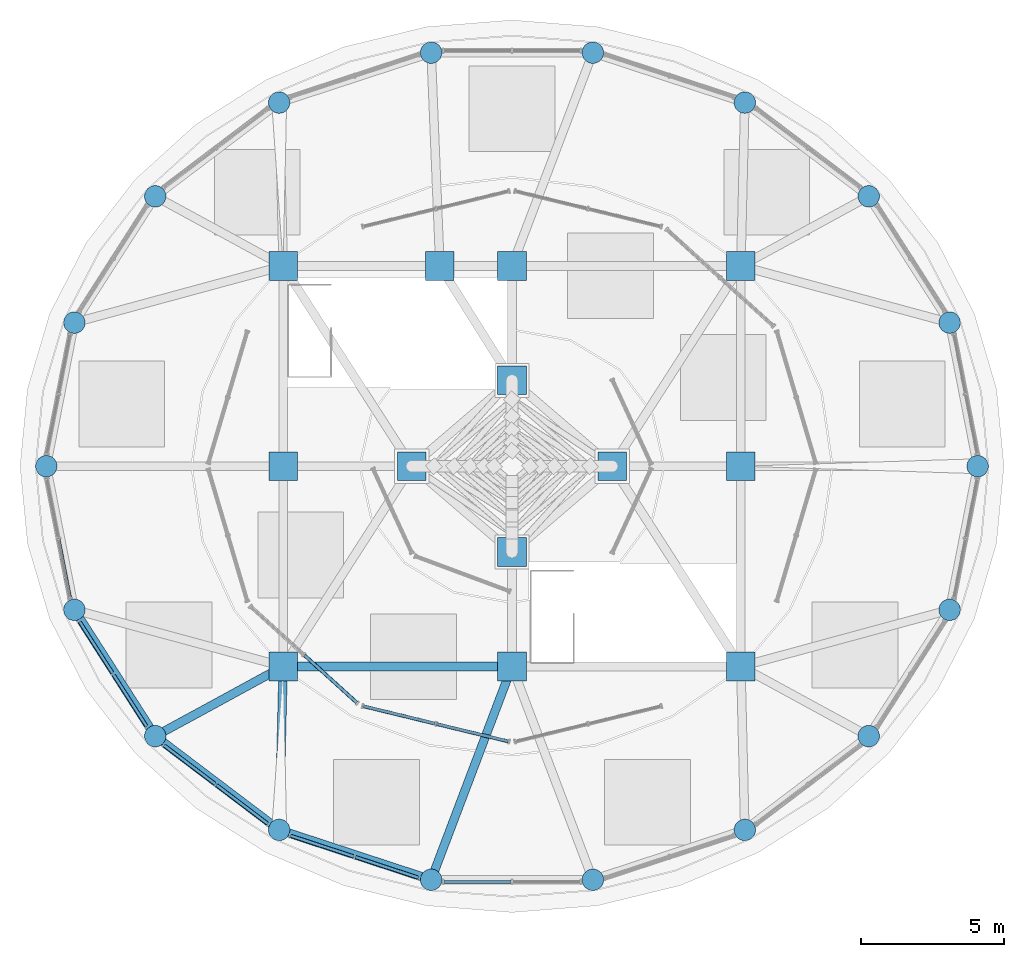
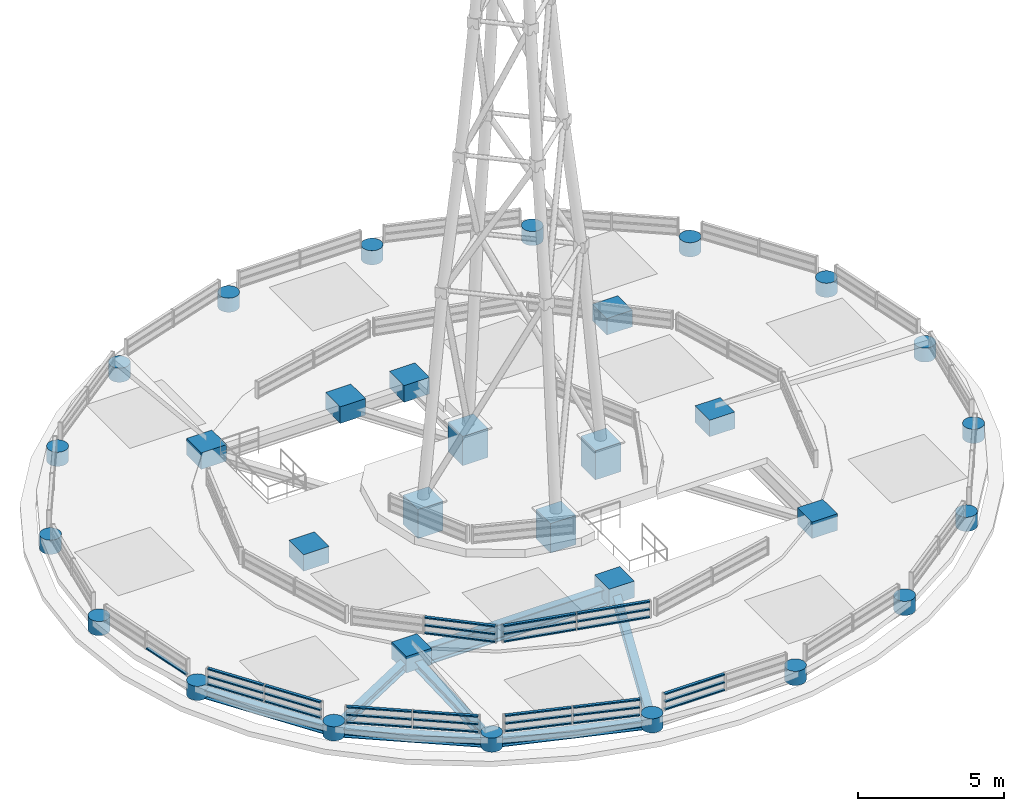
# One storey, part 1 of 21: 31 columns, 31 members, 7 beams, 7 elements without a shape of their own.
"""IFC4 building model written with IfcOpenShell, lengths in metres."""

from ifc_helpers import new_model, si_unit, direction, frame, origin, origin_2d, place, context, subcontext, project, spatial, rectangle, hollow_rectangle, circle, i_section, extrude, material, layer, layer_set, material_profile, profile_set, type_object, element, aggregate, save


model = new_model("IFC4")

# Units and contexts
model_context = context("Model", 3, precision=1e-05, world=origin(), true_north=direction((0.0, 1.0)))
body_context = subcontext(model_context, "Body", "Model", "MODEL_VIEW")
ifc_project = project(units=[si_unit("LENGTHUNIT", "METRE"), si_unit("AREAUNIT", "SQUARE_METRE"), si_unit("VOLUMEUNIT", "CUBIC_METRE"), si_unit("PLANEANGLEUNIT", "RADIAN"), si_unit("MASSUNIT", "GRAM", prefix="KILO")], contexts=[model_context])

# Site, building, storey
site_placement = place(None, origin())
site = spatial("IfcSite", under=ifc_project, at=site_placement, CompositionType="ELEMENT")
building_placement = place(site_placement, origin())
building = spatial("IfcBuilding", under=site, at=building_placement, Name="Kelanora Arch Commons", CompositionType="ELEMENT")
storey_placement = place(building_placement, frame((0.0, 0.0, 311.10009765625)))
storey = spatial("IfcBuildingStorey", under=building, at=storey_placement, Name="RF", CompositionType="ELEMENT", Elevation=311.10009765625)

# Columns
ifc_material_1 = material(Name="Concrete C50/60", Category="concrete")
ifc_material_profile_1 = material_profile(ifc_material_1, circle(Radius=0.375, at=origin_2d()), Name="RCC750")
ifc_profile_set_1 = profile_set([ifc_material_profile_1], Name="Concrete C50/60")
column_type_1 = type_object("IfcColumnType", Name="COL-PERIM-Z6", PredefinedType="COLUMN", material=ifc_profile_set_1)
for number, where, z_axis, x_axis, name in (
    (1, (90.280029296875, 58.0, 0.0), (0.0, 0.0, 1.0), (1.0, 0.0, 0.0), "Crown Lantern Perimeter Column CP-00 RF"),
    (2, (89.298095703125, 63.02099609375, 0.0), (0.0, 0.0, 1.0), (1.0, 0.0, 0.0), "Crown Lantern Perimeter Column CP-02 RF"),
    (3, (86.47119140625, 67.43603515625, 0.0), (0.0, 0.0, 1.0), (1.0, 0.0, 0.0), "Crown Lantern Perimeter Column CP-04 RF"),
    (4, (82.139892578125, 70.71337890625, 0.0), (0.0, 0.0, 1.0), (1.0, 0.0, 0.0), "Crown Lantern Perimeter Column CP-06 RF"),
    (5, (76.826904296875, 72.45703125, 0.0), (0.0, 0.0, 1.0), (1.0, 0.0, 0.0), "Crown Lantern Perimeter Column CP-08 RF"),
    (6, (71.173095703125, 72.45703125, 0.0), (0.0, 0.0, 1.0), (1.0, 0.0, 0.0), "Crown Lantern Perimeter Column CP-10 RF"),
    (7, (65.860107421875, 70.71337890625, 0.0), (0.0, 0.0, 1.0), (1.0, 0.0, 0.0), "Crown Lantern Perimeter Column CP-12 RF"),
    (8, (61.52880859375, 67.43603515625, 0.0), (0.0, 0.0, 1.0), (1.0, 0.0, 0.0), "Crown Lantern Perimeter Column CP-14 RF"),
    (9, (58.701904296875, 63.02099609375, 0.0), (0.0, 0.0, 1.0), (1.0, 0.0, 0.0), "Crown Lantern Perimeter Column CP-16 RF"),
    (10, (57.719970703125, 58.0, 0.0), (0.0, 0.0, 1.0), (1.0, 0.0, 0.0), "Crown Lantern Perimeter Column CP-18 RF"),
    (11, (58.701904296875, 52.97900390625, 0.0), (0.0, 0.0, 1.0), (1.0, 0.0, 0.0), "Crown Lantern Perimeter Column CP-20 RF"),
    (12, (61.52880859375, 48.56396484375, 0.0), (0.0, 0.0, 1.0), (1.0, 0.0, 0.0), "Crown Lantern Perimeter Column CP-22 RF"),
    (13, (65.860107421875, 45.28662109375, 0.0), (0.0, 0.0, 1.0), (1.0, 0.0, 0.0), "Crown Lantern Perimeter Column CP-24 RF"),
    (14, (71.173095703125, 43.54296875, 0.0), (0.0, 0.0, 1.0), (1.0, 0.0, 0.0), "Crown Lantern Perimeter Column CP-26 RF"),
    (15, (76.826904296875, 43.54296875, 0.0), (0.0, 0.0, 1.0), (1.0, 0.0, 0.0), "Crown Lantern Perimeter Column CP-28 RF"),
    (16, (82.139892578125, 45.28662109375, 0.0), (0.0, 0.0, 1.0), (1.0, 0.0, 0.0), "Crown Lantern Perimeter Column CP-30 RF"),
    (17, (86.47119140625, 48.56396484375, 0.0), (0.0, 0.0, 1.0), (1.0, 0.0, 0.0), "Crown Lantern Perimeter Column CP-32 RF"),
    (18, (89.298095703125, 52.97900390625, 0.0), (0.0, 0.0, 1.0), (1.0, 0.0, 0.0), "Crown Lantern Perimeter Column CP-34 RF"),
):
    element("IfcColumn", number, at=place(storey_placement, frame(where, z_axis=z_axis, x_axis=x_axis)), inside=storey, type_object=column_type_1, Name=name, PredefinedType="COLUMN", context=body_context, shape_type="SweptSolid", body=[
        extrude(circle(Radius=0.375, at=origin_2d()), origin(), (0.0, 0.0, 1.0), 0.58984375),
    ])
ifc_material_profile_2 = material_profile(ifc_material_1, rectangle(XDim=1.0, YDim=1.0, at=origin_2d()), Name="RC1000x1000")
ifc_profile_set_2 = profile_set([ifc_material_profile_2], Name="Concrete C50/60")
column_type_2 = type_object("IfcColumnType", Name="COL-PIL-HIGH", PredefinedType="PILASTER", material=ifc_profile_set_2)
for number, where, z_axis, x_axis, name in (
    (19, (66.0, 51.0, 0.0), (0.0, 0.0, 1.0), (1.0, 0.0, 0.0), "Crown Core Pilaster Extension CP1"),
    (20, (74.0, 51.0, 0.0), (0.0, 0.0, 1.0), (1.0, 0.0, 0.0), "Crown Core Pilaster Extension CP2"),
    (21, (82.0, 51.0, 0.0), (0.0, 0.0, 1.0), (1.0, 0.0, 0.0), "Crown Core Pilaster Extension CP3"),
    (22, (82.0, 58.0, 0.0), (0.0, 0.0, 1.0), (1.0, 0.0, 0.0), "Crown Core Pilaster Extension CP4"),
    (23, (82.0, 65.0, 0.0), (0.0, 0.0, 1.0), (1.0, 0.0, 0.0), "Crown Core Pilaster Extension CP5"),
    (24, (74.0, 65.0, 0.0), (0.0, 0.0, 1.0), (1.0, 0.0, 0.0), "Crown Core Pilaster Extension CP6"),
    (25, (71.47998046875, 65.0, 0.0), (0.0, 0.0, 1.0), (1.0, 0.0, 0.0), "Crown Core Pilaster Extension CP9"),
    (26, (66.0, 65.0, 0.0), (0.0, 0.0, 1.0), (1.0, 0.0, 0.0), "Crown Core Pilaster Extension CP7"),
    (27, (66.0, 58.0, 0.0), (0.0, 0.0, 1.0), (1.0, 0.0, 0.0), "Crown Core Pilaster Extension CP8"),
):
    element("IfcColumn", number, at=place(storey_placement, frame(where, z_axis=z_axis, x_axis=x_axis)), inside=storey, type_object=column_type_2, Name=name, PredefinedType="PILASTER", context=body_context, shape_type="SweptSolid", body=[
        extrude(rectangle(XDim=1.0, YDim=1.0, at=origin_2d()), origin(), (0.0, 0.0, 1.0), 0.68994140625),
    ])
for number, where, z_axis, x_axis, name in (
    (28, (70.5, 58.0, -0.22021484375), (0.0, 0.0, 1.0), (1.0, 0.0, 0.0), "Mast Pedestal Column 01"),
    (29, (77.5, 58.0, -0.22021484375), (0.0, 0.0, 1.0), (1.0, 0.0, 0.0), "Mast Pedestal Column 02"),
    (30, (74.0, 55.0, -0.22021484375), (0.0, 0.0, 1.0), (1.0, 0.0, 0.0), "Mast Pedestal Column 03"),
    (31, (74.0, 61.0, -0.22021484375), (0.0, 0.0, 1.0), (1.0, 0.0, 0.0), "Mast Pedestal Column 04"),
):
    element("IfcColumn", number, at=place(storey_placement, frame(where, z_axis=z_axis, x_axis=x_axis)), inside=storey, type_object=column_type_2, Name=name, PredefinedType="PILASTER", context=body_context, shape_type="SweptSolid", body=[
        extrude(rectangle(XDim=1.0, YDim=1.0, at=origin_2d()), origin(), (0.0, 0.0, 1.0), 1.22021484375),
    ])

# Beams
ifc_material_2 = material(Name="Steel S355", Category="steel")
ifc_material_profile_3 = material_profile(ifc_material_2, i_section(OverallWidth=0.300048828125, OverallDepth=0.699951171875, WebThickness=0.01708984375, FlangeThickness=0.031982421875, FilletRadius=0.027099609375, at=origin_2d()), Name="HEB700")
ifc_profile_set_3 = profile_set([ifc_material_profile_3], Name="Steel S355")
beam_type_1 = type_object("IfcBeamType", Name="BM-CORE-HDR", PredefinedType="BEAM", material=ifc_profile_set_3)
beam_1_placement = place(storey_placement, frame((66.0, 51.0, 0.099853515625), z_axis=(1.0, 0.0, 0.0), x_axis=(0.0, 1.0, 0.0)))
element("IfcBeam", 32, at=beam_1_placement, inside=storey, type_object=beam_type_1, Name="Crown Mid Lantern Roof Ring 01", PredefinedType="BEAM", context=body_context, shape_type="SweptSolid", body=[
    extrude(i_section(OverallWidth=0.300048828125, OverallDepth=0.699951171875, WebThickness=0.01708984375, FlangeThickness=0.031982421875, FilletRadius=0.027099609375, at=origin_2d()), origin(), (0.0, 0.0, 1.0), 8.0),
])
ifc_material_profile_4 = material_profile(ifc_material_2, i_section(OverallWidth=0.300048828125, OverallDepth=0.340087890625, WebThickness=0.011962890625, FlangeThickness=0.021484375, FilletRadius=0.027099609375, at=origin_2d()), Name="HEB340")
ifc_profile_set_4 = profile_set([ifc_material_profile_4], Name="Steel S355")
beam_type_2 = type_object("IfcBeamType", Name="BM-DRUM-RING", PredefinedType="BEAM", material=ifc_profile_set_4)
beam_2_placement = place(storey_placement, frame((58.701904296875, 52.97900390625, 0.179931640625), z_axis=(0.53922680048, -0.842160588987, 0.0), x_axis=(0.842160588987, 0.53922680048, 0.0)))
element("IfcBeam", 33, at=beam_2_placement, inside=storey, type_object=beam_type_2, Name="Crown Outer Lantern Ring Beam 20", PredefinedType="BEAM", context=body_context, shape_type="SweptSolid", body=[
    extrude(i_section(OverallWidth=0.300048828125, OverallDepth=0.340087890625, WebThickness=0.011962890625, FlangeThickness=0.021484375, FilletRadius=0.027099609375, at=origin_2d()), origin(), (0.0, 0.0, 1.0), 5.242431640625),
])
beam_3_placement = place(storey_placement, frame((61.52880859375, 48.56396484375, 0.179931640625), z_axis=(0.797441458309, -0.603396321309, 0.0), x_axis=(0.603396321309, 0.797441458309, 0.0)))
element("IfcBeam", 34, at=beam_3_placement, inside=storey, type_object=beam_type_2, Name="Crown Outer Lantern Ring Beam 22", PredefinedType="BEAM", context=body_context, shape_type="SweptSolid", body=[
    extrude(i_section(OverallWidth=0.300048828125, OverallDepth=0.340087890625, WebThickness=0.011962890625, FlangeThickness=0.021484375, FilletRadius=0.027099609375, at=origin_2d()), origin(), (0.0, 0.0, 1.0), 5.431396484375),
])
beam_4_placement = place(storey_placement, frame((65.860107421875, 45.28662109375, 0.179931640625), z_axis=(0.950140083071, -0.311823383572, 0.0), x_axis=(0.311823383572, 0.950140083071, 0.0)))
element("IfcBeam", 35, at=beam_4_placement, inside=storey, type_object=beam_type_2, Name="Crown Outer Lantern Ring Beam 24", PredefinedType="BEAM", context=body_context, shape_type="SweptSolid", body=[
    extrude(i_section(OverallWidth=0.300048828125, OverallDepth=0.340087890625, WebThickness=0.011962890625, FlangeThickness=0.021484375, FilletRadius=0.027099609375, at=origin_2d()), origin(), (0.0, 0.0, 1.0), 5.591796875),
])
beam_5_placement = place(storey_placement, frame((61.52880859375, 48.56396484375, 0.169921875), z_axis=(0.878126355987, 0.478428785631, 0.0), x_axis=(-0.478428785631, 0.878126355987, 0.0)))
element("IfcBeam", 36, at=beam_5_placement, inside=storey, type_object=beam_type_2, Name="Sloped Glass Crown Outer Rafter 12A", PredefinedType="BEAM", context=body_context, shape_type="SweptSolid", body=[
    extrude(i_section(OverallWidth=0.300048828125, OverallDepth=0.340087890625, WebThickness=0.011962890625, FlangeThickness=0.021484375, FilletRadius=0.027099609375, at=origin_2d()), origin(), (0.0, 0.0, 1.0), 5.091796875),
])
beam_6_placement = place(storey_placement, frame((65.860107421875, 45.28662109375, 0.169921875), z_axis=(0.0244777504, 0.99970037498, 0.0), x_axis=(-0.99970037498, 0.0244777504, 0.0)))
element("IfcBeam", 37, at=beam_6_placement, inside=storey, type_object=beam_type_2, Name="Sloped Glass Crown Outer Rafter 13A", PredefinedType="BEAM", context=body_context, shape_type="SweptSolid", body=[
    extrude(i_section(OverallWidth=0.300048828125, OverallDepth=0.340087890625, WebThickness=0.011962890625, FlangeThickness=0.021484375, FilletRadius=0.027099609375, at=origin_2d()), origin(), (0.0, 0.0, 1.0), 5.715087890625),
])
beam_7_placement = place(storey_placement, frame((71.173095703125, 43.54296875, 0.169921875), z_axis=(0.354476114465, 0.93506506954, 0.0), x_axis=(-0.93506506954, 0.354476114465, 0.0)))
element("IfcBeam", 38, at=beam_7_placement, inside=storey, type_object=beam_type_2, Name="Sloped Glass Crown Outer Rafter 14A", PredefinedType="BEAM", context=body_context, shape_type="SweptSolid", body=[
    extrude(i_section(OverallWidth=0.300048828125, OverallDepth=0.340087890625, WebThickness=0.011962890625, FlangeThickness=0.021484375, FilletRadius=0.027099609375, at=origin_2d()), origin(), (0.0, 0.0, 1.0), 7.974853515625),
])

# Curtain wall, member
ifc_material_3 = material(Name="Terracotta ceramic-fritted low-E glass and aluminium", Category="masonry")
ifc_layer = layer(ifc_material_3, 0.14990234375)
ifc_layer_set = layer_set([ifc_layer], Name="Terracotta ceramic-fritted low-E glass and aluminium")
curtain_wall_type = type_object("IfcCurtainWallType", Name="CW-SYS-06", PredefinedType="NOTDEFINED", material=ifc_layer_set)
curtain_wall_1_placement = place(storey_placement, origin())
curtain_wall_1 = element("IfcCurtainWall", 39, at=curtain_wall_1_placement, inside=storey, type_object=curtain_wall_type, Name="Sloped Glass Crown Lantern T1-10", PredefinedType="NOTDEFINED")
ifc_material_4 = material(Name="Powder-coated aluminium terracotta", Category="masonry")
ifc_material_profile_5 = material_profile(ifc_material_4, hollow_rectangle(XDim=0.1201171875, YDim=0.06005859375, WallThickness=0.0048828125, InnerFilletRadius=0.0048828125, OuterFilletRadius=0.010009765625, at=origin_2d()), Name="CWT120x60")
ifc_profile_set_5 = profile_set([ifc_material_profile_5], Name="Powder-coated aluminium terracotta")
member_type = type_object("IfcMemberType", Name="CWT-STD", PredefinedType="USERDEFINED", material=ifc_profile_set_5)
member_1_placement = place(storey_placement, frame((58.148681640625, 55.4482421875, 0.619873046875), z_axis=(0.191893651219, -0.981415725685, 0.0), x_axis=(0.981415725685, 0.191893651219, 0.0)))
member_1 = element("IfcMember", 40, at=member_1_placement, type_object=member_type, Name="CW-06 transom 2.1", ObjectType="TRANSOM", PredefinedType="USERDEFINED", context=body_context, shape_type="SweptSolid", body=[
    extrude(hollow_rectangle(XDim=0.1201171875, YDim=0.06005859375, WallThickness=0.0048828125, InnerFilletRadius=0.0048828125, OuterFilletRadius=0.010009765625, at=origin_2d()), origin(), (0.0, 0.0, 1.0), 2.080078125),
])
aggregate(curtain_wall_1, [member_1])

# Curtain wall, members
curtain_wall_2_placement = place(storey_placement, origin())
curtain_wall_2 = element("IfcCurtainWall", 41, at=curtain_wall_2_placement, inside=storey, type_object=curtain_wall_type, Name="Sloped Glass Crown Lantern T1-11", PredefinedType="NOTDEFINED")
member_2_placement = place(storey_placement, frame((58.884033203125, 52.56787109375, 0.619873046875), z_axis=(0.538937342954, -0.842345855555, 0.0), x_axis=(0.842345855555, 0.538937342954, 0.0)))
member_2 = element("IfcMember", 42, at=member_2_placement, type_object=member_type, Name="CW-06 transom 1.1", ObjectType="TRANSOM", PredefinedType="USERDEFINED", context=body_context, shape_type="SweptSolid", body=[
    extrude(hollow_rectangle(XDim=0.1201171875, YDim=0.06005859375, WallThickness=0.0048828125, InnerFilletRadius=0.0048828125, OuterFilletRadius=0.010009765625, at=origin_2d()), origin(), (0.0, 0.0, 1.0), 2.1435546875),
])
member_3_placement = place(storey_placement, frame((58.884033203125, 52.56787109375, 0.93994140625), z_axis=(0.538937342954, -0.842345855555, 0.0), x_axis=(0.842345855555, 0.538937342954, 0.0)))
member_3 = element("IfcMember", 43, at=member_3_placement, type_object=member_type, Name="CW-06 transom 1.2", ObjectType="TRANSOM", PredefinedType="USERDEFINED", context=body_context, shape_type="SweptSolid", body=[
    extrude(hollow_rectangle(XDim=0.1201171875, YDim=0.06005859375, WallThickness=0.0048828125, InnerFilletRadius=0.0048828125, OuterFilletRadius=0.010009765625, at=origin_2d()), origin(), (0.0, 0.0, 1.0), 2.1435546875),
])
member_4_placement = place(storey_placement, frame((58.884033203125, 52.56787109375, 1.260009765625), z_axis=(0.538937342954, -0.842345855555, 0.0), x_axis=(0.842345855555, 0.538937342954, 0.0)))
member_4 = element("IfcMember", 44, at=member_4_placement, type_object=member_type, Name="CW-06 transom 1.3", ObjectType="TRANSOM", PredefinedType="USERDEFINED", context=body_context, shape_type="SweptSolid", body=[
    extrude(hollow_rectangle(XDim=0.1201171875, YDim=0.06005859375, WallThickness=0.0048828125, InnerFilletRadius=0.0048828125, OuterFilletRadius=0.010009765625, at=origin_2d()), origin(), (0.0, 0.0, 1.0), 2.1435546875),
])
member_5_placement = place(storey_placement, frame((60.07177734375, 50.711669921875, 0.619873046875), z_axis=(0.539069856372, -0.842261058076, 0.0), x_axis=(0.842261058076, 0.539069856372, 0.0)))
member_5 = element("IfcMember", 45, at=member_5_placement, type_object=member_type, Name="CW-06 transom 2.1", ObjectType="TRANSOM", PredefinedType="USERDEFINED", context=body_context, shape_type="SweptSolid", body=[
    extrude(hollow_rectangle(XDim=0.1201171875, YDim=0.06005859375, WallThickness=0.0048828125, InnerFilletRadius=0.0048828125, OuterFilletRadius=0.010009765625, at=origin_2d()), origin(), (0.0, 0.0, 1.0), 2.1435546875),
])
member_6_placement = place(storey_placement, frame((60.07177734375, 50.711669921875, 0.93994140625), z_axis=(0.539069856372, -0.842261058076, 0.0), x_axis=(0.842261058076, 0.539069856372, 0.0)))
member_6 = element("IfcMember", 46, at=member_6_placement, type_object=member_type, Name="CW-06 transom 2.2", ObjectType="TRANSOM", PredefinedType="USERDEFINED", context=body_context, shape_type="SweptSolid", body=[
    extrude(hollow_rectangle(XDim=0.1201171875, YDim=0.06005859375, WallThickness=0.0048828125, InnerFilletRadius=0.0048828125, OuterFilletRadius=0.010009765625, at=origin_2d()), origin(), (0.0, 0.0, 1.0), 2.1435546875),
])
member_7_placement = place(storey_placement, frame((60.07177734375, 50.711669921875, 1.260009765625), z_axis=(0.539069856372, -0.842261058076, 0.0), x_axis=(0.842261058076, 0.539069856372, 0.0)))
member_7 = element("IfcMember", 47, at=member_7_placement, type_object=member_type, Name="CW-06 transom 2.3", ObjectType="TRANSOM", PredefinedType="USERDEFINED", context=body_context, shape_type="SweptSolid", body=[
    extrude(hollow_rectangle(XDim=0.1201171875, YDim=0.06005859375, WallThickness=0.0048828125, InnerFilletRadius=0.0048828125, OuterFilletRadius=0.010009765625, at=origin_2d()), origin(), (0.0, 0.0, 1.0), 2.1435546875),
])
aggregate(curtain_wall_2, [member_2, member_3, member_4, member_5, member_6, member_7])

curtain_wall_3_placement = place(storey_placement, origin())
curtain_wall_3 = element("IfcCurtainWall", 48, at=curtain_wall_3_placement, inside=storey, type_object=curtain_wall_type, Name="Sloped Glass Crown Lantern T1-12", PredefinedType="NOTDEFINED")
member_8_placement = place(storey_placement, frame((61.842041015625, 48.2412109375, 0.619873046875), z_axis=(0.797321244253, -0.603555161906, 0.0), x_axis=(0.603555161906, 0.797321244253, 0.0)))
member_8 = element("IfcMember", 49, at=member_8_placement, type_object=member_type, Name="CW-06 transom 1.1", ObjectType="TRANSOM", PredefinedType="USERDEFINED", context=body_context, shape_type="SweptSolid", body=[
    extrude(hollow_rectangle(XDim=0.1201171875, YDim=0.06005859375, WallThickness=0.0048828125, InnerFilletRadius=0.0048828125, OuterFilletRadius=0.010009765625, at=origin_2d()), origin(), (0.0, 0.0, 1.0), 2.23779296875),
])
member_9_placement = place(storey_placement, frame((61.842041015625, 48.2412109375, 0.93994140625), z_axis=(0.797321244253, -0.603555161906, 0.0), x_axis=(0.603555161906, 0.797321244253, 0.0)))
member_9 = element("IfcMember", 50, at=member_9_placement, type_object=member_type, Name="CW-06 transom 1.2", ObjectType="TRANSOM", PredefinedType="USERDEFINED", context=body_context, shape_type="SweptSolid", body=[
    extrude(hollow_rectangle(XDim=0.1201171875, YDim=0.06005859375, WallThickness=0.0048828125, InnerFilletRadius=0.0048828125, OuterFilletRadius=0.010009765625, at=origin_2d()), origin(), (0.0, 0.0, 1.0), 2.23779296875),
])
member_10_placement = place(storey_placement, frame((61.842041015625, 48.2412109375, 1.260009765625), z_axis=(0.797321244253, -0.603555161906, 0.0), x_axis=(0.603555161906, 0.797321244253, 0.0)))
member_10 = element("IfcMember", 51, at=member_10_placement, type_object=member_type, Name="CW-06 transom 1.3", ObjectType="TRANSOM", PredefinedType="USERDEFINED", context=body_context, shape_type="SweptSolid", body=[
    extrude(hollow_rectangle(XDim=0.1201171875, YDim=0.06005859375, WallThickness=0.0048828125, InnerFilletRadius=0.0048828125, OuterFilletRadius=0.010009765625, at=origin_2d()), origin(), (0.0, 0.0, 1.0), 2.23779296875),
])
member_11_placement = place(storey_placement, frame((63.674072265625, 46.8544921875, 0.619873046875), z_axis=(0.797268741575, -0.603624513839, 0.0), x_axis=(0.603624513839, 0.797268741575, 0.0)))
member_11 = element("IfcMember", 52, at=member_11_placement, type_object=member_type, Name="CW-06 transom 2.1", ObjectType="TRANSOM", PredefinedType="USERDEFINED", context=body_context, shape_type="SweptSolid", body=[
    extrude(hollow_rectangle(XDim=0.1201171875, YDim=0.06005859375, WallThickness=0.0048828125, InnerFilletRadius=0.0048828125, OuterFilletRadius=0.010009765625, at=origin_2d()), origin(), (0.0, 0.0, 1.0), 2.23779296875),
])
member_12_placement = place(storey_placement, frame((63.674072265625, 46.8544921875, 0.93994140625), z_axis=(0.797268741575, -0.603624513839, 0.0), x_axis=(0.603624513839, 0.797268741575, 0.0)))
member_12 = element("IfcMember", 53, at=member_12_placement, type_object=member_type, Name="CW-06 transom 2.2", ObjectType="TRANSOM", PredefinedType="USERDEFINED", context=body_context, shape_type="SweptSolid", body=[
    extrude(hollow_rectangle(XDim=0.1201171875, YDim=0.06005859375, WallThickness=0.0048828125, InnerFilletRadius=0.0048828125, OuterFilletRadius=0.010009765625, at=origin_2d()), origin(), (0.0, 0.0, 1.0), 2.23779296875),
])
member_13_placement = place(storey_placement, frame((63.674072265625, 46.8544921875, 1.260009765625), z_axis=(0.797268741575, -0.603624513839, 0.0), x_axis=(0.603624513839, 0.797268741575, 0.0)))
member_13 = element("IfcMember", 54, at=member_13_placement, type_object=member_type, Name="CW-06 transom 2.3", ObjectType="TRANSOM", PredefinedType="USERDEFINED", context=body_context, shape_type="SweptSolid", body=[
    extrude(hollow_rectangle(XDim=0.1201171875, YDim=0.06005859375, WallThickness=0.0048828125, InnerFilletRadius=0.0048828125, OuterFilletRadius=0.010009765625, at=origin_2d()), origin(), (0.0, 0.0, 1.0), 2.23779296875),
])
aggregate(curtain_wall_3, [member_8, member_9, member_10, member_11, member_12, member_13])

curtain_wall_4_placement = place(storey_placement, origin())
curtain_wall_4 = element("IfcCurtainWall", 55, at=curtain_wall_4_placement, inside=storey, type_object=curtain_wall_type, Name="Sloped Glass Crown Lantern T1-13", PredefinedType="NOTDEFINED")
member_14_placement = place(storey_placement, frame((66.261962890625, 45.08251953125, 0.619873046875), z_axis=(0.950095534475, -0.311959092464, 0.0), x_axis=(0.311959092464, 0.950095534475, 0.0)))
member_14 = element("IfcMember", 56, at=member_14_placement, type_object=member_type, Name="CW-06 transom 1.1", ObjectType="TRANSOM", PredefinedType="USERDEFINED", context=body_context, shape_type="SweptSolid", body=[
    extrude(hollow_rectangle(XDim=0.1201171875, YDim=0.06005859375, WallThickness=0.0048828125, InnerFilletRadius=0.0048828125, OuterFilletRadius=0.010009765625, at=origin_2d()), origin(), (0.0, 0.0, 1.0), 2.318115234375),
])
member_15_placement = place(storey_placement, frame((66.261962890625, 45.08251953125, 0.93994140625), z_axis=(0.950095534475, -0.311959092464, 0.0), x_axis=(0.311959092464, 0.950095534475, 0.0)))
member_15 = element("IfcMember", 57, at=member_15_placement, type_object=member_type, Name="CW-06 transom 1.2", ObjectType="TRANSOM", PredefinedType="USERDEFINED", context=body_context, shape_type="SweptSolid", body=[
    extrude(hollow_rectangle(XDim=0.1201171875, YDim=0.06005859375, WallThickness=0.0048828125, InnerFilletRadius=0.0048828125, OuterFilletRadius=0.010009765625, at=origin_2d()), origin(), (0.0, 0.0, 1.0), 2.318115234375),
])
member_16_placement = place(storey_placement, frame((66.261962890625, 45.08251953125, 1.260009765625), z_axis=(0.950095534475, -0.311959092464, 0.0), x_axis=(0.311959092464, 0.950095534475, 0.0)))
member_16 = element("IfcMember", 58, at=member_16_placement, type_object=member_type, Name="CW-06 transom 1.3", ObjectType="TRANSOM", PredefinedType="USERDEFINED", context=body_context, shape_type="SweptSolid", body=[
    extrude(hollow_rectangle(XDim=0.1201171875, YDim=0.06005859375, WallThickness=0.0048828125, InnerFilletRadius=0.0048828125, OuterFilletRadius=0.010009765625, at=origin_2d()), origin(), (0.0, 0.0, 1.0), 2.318115234375),
])
member_17_placement = place(storey_placement, frame((68.521484375, 44.3408203125, 0.619873046875), z_axis=(0.950095534475, -0.311959092464, 0.0), x_axis=(0.311959092464, 0.950095534475, 0.0)))
member_17 = element("IfcMember", 59, at=member_17_placement, type_object=member_type, Name="CW-06 transom 2.1", ObjectType="TRANSOM", PredefinedType="USERDEFINED", context=body_context, shape_type="SweptSolid", body=[
    extrude(hollow_rectangle(XDim=0.1201171875, YDim=0.06005859375, WallThickness=0.0048828125, InnerFilletRadius=0.0048828125, OuterFilletRadius=0.010009765625, at=origin_2d()), origin(), (0.0, 0.0, 1.0), 2.318115234375),
])
member_18_placement = place(storey_placement, frame((68.521484375, 44.3408203125, 0.93994140625), z_axis=(0.950095534475, -0.311959092464, 0.0), x_axis=(0.311959092464, 0.950095534475, 0.0)))
member_18 = element("IfcMember", 60, at=member_18_placement, type_object=member_type, Name="CW-06 transom 2.2", ObjectType="TRANSOM", PredefinedType="USERDEFINED", context=body_context, shape_type="SweptSolid", body=[
    extrude(hollow_rectangle(XDim=0.1201171875, YDim=0.06005859375, WallThickness=0.0048828125, InnerFilletRadius=0.0048828125, OuterFilletRadius=0.010009765625, at=origin_2d()), origin(), (0.0, 0.0, 1.0), 2.318115234375),
])
member_19_placement = place(storey_placement, frame((68.521484375, 44.3408203125, 1.260009765625), z_axis=(0.950095534475, -0.311959092464, 0.0), x_axis=(0.311959092464, 0.950095534475, 0.0)))
member_19 = element("IfcMember", 61, at=member_19_placement, type_object=member_type, Name="CW-06 transom 2.3", ObjectType="TRANSOM", PredefinedType="USERDEFINED", context=body_context, shape_type="SweptSolid", body=[
    extrude(hollow_rectangle(XDim=0.1201171875, YDim=0.06005859375, WallThickness=0.0048828125, InnerFilletRadius=0.0048828125, OuterFilletRadius=0.010009765625, at=origin_2d()), origin(), (0.0, 0.0, 1.0), 2.318115234375),
])
aggregate(curtain_wall_4, [member_14, member_15, member_16, member_17, member_18, member_19])

curtain_wall_5_placement = place(storey_placement, origin())
curtain_wall_5 = element("IfcCurtainWall", 62, at=curtain_wall_5_placement, inside=storey, type_object=curtain_wall_type, Name="Sloped Glass Crown Lantern T1-14", PredefinedType="NOTDEFINED")
member_20_placement = place(storey_placement, frame((71.620849609375, 43.47412109375, 0.619873046875), z_axis=(1.0, 0.0, 0.0), x_axis=(0.0, 1.0, 0.0)))
member_20 = element("IfcMember", 63, at=member_20_placement, type_object=member_type, Name="CW-06 transom 1.1", ObjectType="TRANSOM", PredefinedType="USERDEFINED", context=body_context, shape_type="SweptSolid", body=[
    extrude(hollow_rectangle(XDim=0.1201171875, YDim=0.06005859375, WallThickness=0.0048828125, InnerFilletRadius=0.0048828125, OuterFilletRadius=0.010009765625, at=origin_2d()), origin(), (0.0, 0.0, 1.0), 2.34912109375),
])
member_21_placement = place(storey_placement, frame((71.620849609375, 43.47412109375, 0.93994140625), z_axis=(1.0, 0.0, 0.0), x_axis=(0.0, 1.0, 0.0)))
member_21 = element("IfcMember", 64, at=member_21_placement, type_object=member_type, Name="CW-06 transom 1.2", ObjectType="TRANSOM", PredefinedType="USERDEFINED", context=body_context, shape_type="SweptSolid", body=[
    extrude(hollow_rectangle(XDim=0.1201171875, YDim=0.06005859375, WallThickness=0.0048828125, InnerFilletRadius=0.0048828125, OuterFilletRadius=0.010009765625, at=origin_2d()), origin(), (0.0, 0.0, 1.0), 2.34912109375),
])
member_22_placement = place(storey_placement, frame((71.620849609375, 43.47412109375, 1.260009765625), z_axis=(1.0, 0.0, 0.0), x_axis=(0.0, 1.0, 0.0)))
member_22 = element("IfcMember", 65, at=member_22_placement, type_object=member_type, Name="CW-06 transom 1.3", ObjectType="TRANSOM", PredefinedType="USERDEFINED", context=body_context, shape_type="SweptSolid", body=[
    extrude(hollow_rectangle(XDim=0.1201171875, YDim=0.06005859375, WallThickness=0.0048828125, InnerFilletRadius=0.0048828125, OuterFilletRadius=0.010009765625, at=origin_2d()), origin(), (0.0, 0.0, 1.0), 2.34912109375),
])
aggregate(curtain_wall_5, [member_20, member_21, member_22])

curtain_wall_6_placement = place(storey_placement, origin())
curtain_wall_6 = element("IfcCurtainWall", 66, at=curtain_wall_6_placement, inside=storey, type_object=curtain_wall_type, Name="Sloped Glass Crown Lantern T2-08", PredefinedType="NOTDEFINED")
member_23_placement = place(storey_placement, frame((66.748046875, 51.388916015625, 0.719970703125), z_axis=(0.741030152391, -0.671471751638, 0.0), x_axis=(0.671471751638, 0.741030152391, 0.0)))
member_23 = element("IfcMember", 67, at=member_23_placement, type_object=member_type, Name="CW-06 transom 2.1", ObjectType="TRANSOM", PredefinedType="USERDEFINED", context=body_context, shape_type="SweptSolid", body=[
    extrude(hollow_rectangle(XDim=0.1201171875, YDim=0.06005859375, WallThickness=0.0048828125, InnerFilletRadius=0.0048828125, OuterFilletRadius=0.010009765625, at=origin_2d()), origin(), (0.0, 0.0, 1.0), 2.46044921875),
])
member_24_placement = place(storey_placement, frame((66.748046875, 51.388916015625, 1.039794921875), z_axis=(0.741030152391, -0.671471751638, 0.0), x_axis=(0.671471751638, 0.741030152391, 0.0)))
member_24 = element("IfcMember", 68, at=member_24_placement, type_object=member_type, Name="CW-06 transom 2.2", ObjectType="TRANSOM", PredefinedType="USERDEFINED", context=body_context, shape_type="SweptSolid", body=[
    extrude(hollow_rectangle(XDim=0.1201171875, YDim=0.06005859375, WallThickness=0.0048828125, InnerFilletRadius=0.0048828125, OuterFilletRadius=0.010009765625, at=origin_2d()), origin(), (0.0, 0.0, 1.0), 2.46044921875),
])
member_25_placement = place(storey_placement, frame((66.748046875, 51.388916015625, 1.35986328125), z_axis=(0.741030152391, -0.671471751638, 0.0), x_axis=(0.671471751638, 0.741030152391, 0.0)))
member_25 = element("IfcMember", 69, at=member_25_placement, type_object=member_type, Name="CW-06 transom 2.3", ObjectType="TRANSOM", PredefinedType="USERDEFINED", context=body_context, shape_type="SweptSolid", body=[
    extrude(hollow_rectangle(XDim=0.1201171875, YDim=0.06005859375, WallThickness=0.0048828125, InnerFilletRadius=0.0048828125, OuterFilletRadius=0.010009765625, at=origin_2d()), origin(), (0.0, 0.0, 1.0), 2.46044921875),
])
aggregate(curtain_wall_6, [member_23, member_24, member_25])

curtain_wall_7_placement = place(storey_placement, origin())
curtain_wall_7 = element("IfcCurtainWall", 70, at=curtain_wall_7_placement, inside=storey, type_object=curtain_wall_type, Name="Sloped Glass Crown Lantern T2-09", PredefinedType="NOTDEFINED")
member_26_placement = place(storey_placement, frame((68.81103515625, 49.60986328125, 0.719970703125), z_axis=(0.971757749872, -0.235980667776, 0.0), x_axis=(0.235980667776, 0.971757749872, 0.0)))
member_26 = element("IfcMember", 71, at=member_26_placement, type_object=member_type, Name="CW-06 transom 1.1", ObjectType="TRANSOM", PredefinedType="USERDEFINED", context=body_context, shape_type="SweptSolid", body=[
    extrude(hollow_rectangle(XDim=0.1201171875, YDim=0.06005859375, WallThickness=0.0048828125, InnerFilletRadius=0.0048828125, OuterFilletRadius=0.010009765625, at=origin_2d()), origin(), (0.0, 0.0, 1.0), 2.56982421875),
])
member_27_placement = place(storey_placement, frame((68.81103515625, 49.60986328125, 1.039794921875), z_axis=(0.971757749872, -0.235980667776, 0.0), x_axis=(0.235980667776, 0.971757749872, 0.0)))
member_27 = element("IfcMember", 72, at=member_27_placement, type_object=member_type, Name="CW-06 transom 1.2", ObjectType="TRANSOM", PredefinedType="USERDEFINED", context=body_context, shape_type="SweptSolid", body=[
    extrude(hollow_rectangle(XDim=0.1201171875, YDim=0.06005859375, WallThickness=0.0048828125, InnerFilletRadius=0.0048828125, OuterFilletRadius=0.010009765625, at=origin_2d()), origin(), (0.0, 0.0, 1.0), 2.56982421875),
])
member_28_placement = place(storey_placement, frame((68.81103515625, 49.60986328125, 1.35986328125), z_axis=(0.971757749872, -0.235980667776, 0.0), x_axis=(0.235980667776, 0.971757749872, 0.0)))
member_28 = element("IfcMember", 73, at=member_28_placement, type_object=member_type, Name="CW-06 transom 1.3", ObjectType="TRANSOM", PredefinedType="USERDEFINED", context=body_context, shape_type="SweptSolid", body=[
    extrude(hollow_rectangle(XDim=0.1201171875, YDim=0.06005859375, WallThickness=0.0048828125, InnerFilletRadius=0.0048828125, OuterFilletRadius=0.010009765625, at=origin_2d()), origin(), (0.0, 0.0, 1.0), 2.56982421875),
])
member_29_placement = place(storey_placement, frame((71.36669921875, 48.9892578125, 0.719970703125), z_axis=(0.971779531305, -0.235890954759, 0.0), x_axis=(0.235890954759, 0.971779531305, 0.0)))
member_29 = element("IfcMember", 74, at=member_29_placement, type_object=member_type, Name="CW-06 transom 2.1", ObjectType="TRANSOM", PredefinedType="USERDEFINED", context=body_context, shape_type="SweptSolid", body=[
    extrude(hollow_rectangle(XDim=0.1201171875, YDim=0.06005859375, WallThickness=0.0048828125, InnerFilletRadius=0.0048828125, OuterFilletRadius=0.010009765625, at=origin_2d()), origin(), (0.0, 0.0, 1.0), 2.56982421875),
])
member_30_placement = place(storey_placement, frame((71.36669921875, 48.9892578125, 1.039794921875), z_axis=(0.971779531305, -0.235890954759, 0.0), x_axis=(0.235890954759, 0.971779531305, 0.0)))
member_30 = element("IfcMember", 75, at=member_30_placement, type_object=member_type, Name="CW-06 transom 2.2", ObjectType="TRANSOM", PredefinedType="USERDEFINED", context=body_context, shape_type="SweptSolid", body=[
    extrude(hollow_rectangle(XDim=0.1201171875, YDim=0.06005859375, WallThickness=0.0048828125, InnerFilletRadius=0.0048828125, OuterFilletRadius=0.010009765625, at=origin_2d()), origin(), (0.0, 0.0, 1.0), 2.56982421875),
])
member_31_placement = place(storey_placement, frame((71.36669921875, 48.9892578125, 1.35986328125), z_axis=(0.971779531305, -0.235890954759, 0.0), x_axis=(0.235890954759, 0.971779531305, 0.0)))
member_31 = element("IfcMember", 76, at=member_31_placement, type_object=member_type, Name="CW-06 transom 2.3", ObjectType="TRANSOM", PredefinedType="USERDEFINED", context=body_context, shape_type="SweptSolid", body=[
    extrude(hollow_rectangle(XDim=0.1201171875, YDim=0.06005859375, WallThickness=0.0048828125, InnerFilletRadius=0.0048828125, OuterFilletRadius=0.010009765625, at=origin_2d()), origin(), (0.0, 0.0, 1.0), 2.56982421875),
])
aggregate(curtain_wall_7, [member_26, member_27, member_28, member_29, member_30, member_31])

save(model, "model.ifc")
